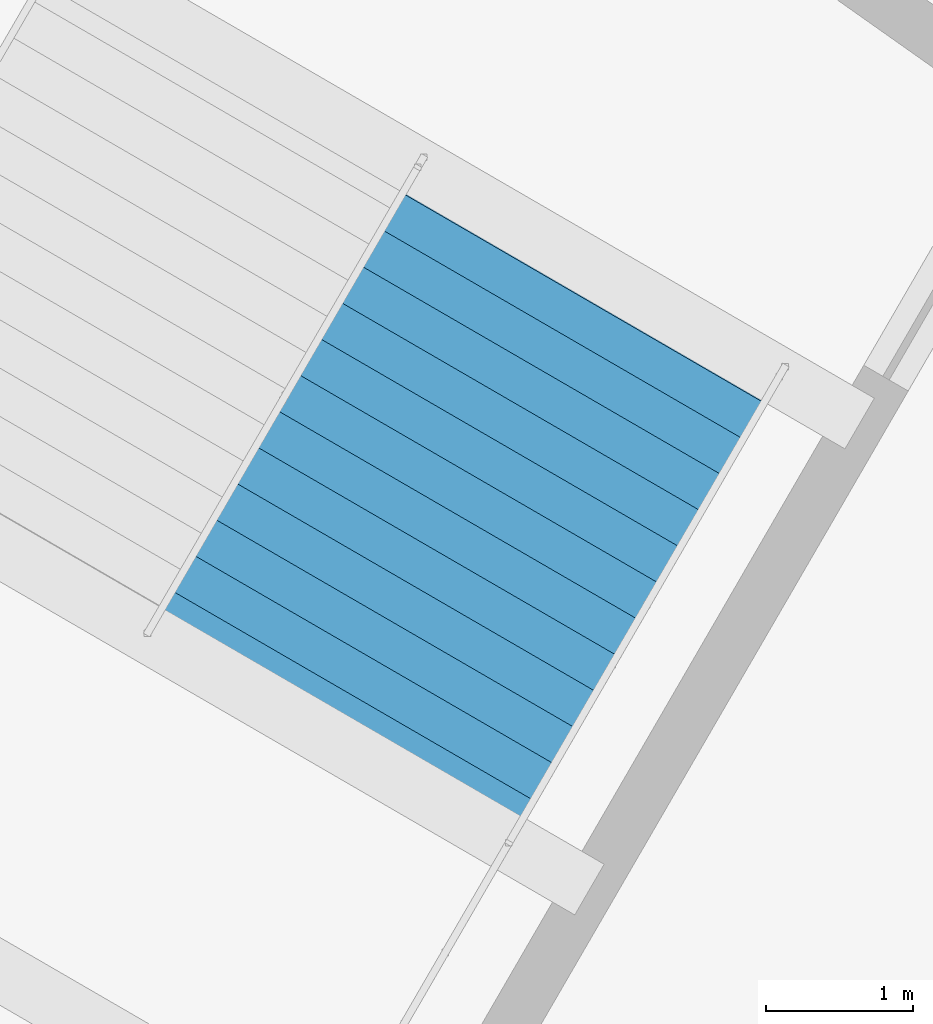
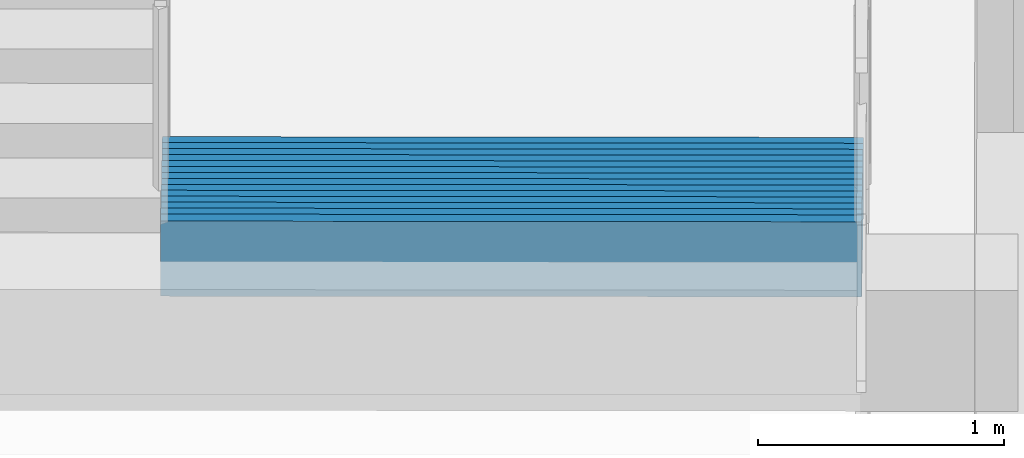
# One storey, part 155 of 171: 1 stair flight, 1 element without a shape of its own.
"""IFC4 building model written with IfcOpenShell, lengths in metres."""

from ifc_helpers import new_model, si_unit, direction, frame, origin, place, context, subcontext, project, spatial, polygons, material, type_object, element, aggregate, save


model = new_model("IFC4")

# Units and contexts
model_context = context("Model", 3, precision=1e-05, world=origin(), true_north=direction((0.0, 1.0)))
body_context = subcontext(model_context, "Body", "Model", "MODEL_VIEW")
ifc_project = project(units=[si_unit("LENGTHUNIT", "METRE"), si_unit("AREAUNIT", "SQUARE_METRE"), si_unit("VOLUMEUNIT", "CUBIC_METRE"), si_unit("PLANEANGLEUNIT", "RADIAN"), si_unit("MASSUNIT", "GRAM", prefix="KILO")], contexts=[model_context])

# Site, building, storey
site_placement = place(None, origin())
site = spatial("IfcSite", under=ifc_project, at=site_placement, CompositionType="ELEMENT")
building_placement = place(site_placement, origin())
building = spatial("IfcBuilding", under=site, at=building_placement, Name="Kazemori Nagisa Stadium", CompositionType="ELEMENT")
storey_placement = place(building_placement, frame((0.0, 0.0, 15.639892578125)))
storey = spatial("IfcBuildingStorey", under=building, at=storey_placement, Name="L03", CompositionType="ELEMENT", Elevation=15.639892578125)

# Stair, stair flight
ifc_material = material(Name="Concrete C36/45 (Fc36)", Category="concrete")
stair_type = type_object("IfcStairType", Name="Stair_CORE_28", PredefinedType="TWO_STRAIGHT_RUN_STAIR", material=ifc_material)
stair_placement = place(storey_placement, origin())
stair = element("IfcStair", 1, at=stair_placement, inside=storey, type_object=stair_type, Name="Exit stair ST08 L03", PredefinedType="TWO_STRAIGHT_RUN_STAIR")
stair_flight_type = type_object("IfcStairFlightType", Name="Flight_CORE_14", PredefinedType="STRAIGHT", material=ifc_material)
stair_flight_placement = place(storey_placement, frame((49.54345703125, 150.724609375, 0.0), z_axis=(0.0, 0.0, 1.0), x_axis=(-0.501579038974, -0.86511182379, 0.0)))
stair_flight = element("IfcStairFlight", 2, at=stair_flight_placement, type_object=stair_flight_type, Name="Exit stair ST08 L03 flight 1", NumberOfRisers=14, NumberOfTreads=13, PredefinedType="STRAIGHT", RiserHeight=0.17, TreadLength=0.285, context=body_context, shape_type="Tessellation", body=[
    polygons([(0.0, -1.425048828125, 0.0), (0.0, -1.425048828125, 0.169921875), (0.284912109375, -1.425048828125, 0.169921875), (0.284912109375, -1.425048828125, 0.340087890625), (0.570068359375, -1.425048828125, 0.340087890625), (0.570068359375, -1.425048828125, 0.510009765625), (0.85498046875, -1.425048828125, 0.510009765625), (0.85498046875, -1.425048828125, 0.679931640625), (1.139892578125, -1.425048828125, 0.679931640625), (1.139892578125, -1.425048828125, 0.85009765625), (1.425048828125, -1.425048828125, 0.85009765625), (1.425048828125, -1.425048828125, 1.02001953125), (1.7099609375, -1.425048828125, 1.02001953125), (1.7099609375, -1.425048828125, 1.18994140625), (1.9951171875, -1.425048828125, 1.18994140625), (1.9951171875, -1.425048828125, 1.360107421875), (2.280029296875, -1.425048828125, 1.360107421875), (2.280029296875, -1.425048828125, 1.530029296875), (2.56494140625, -1.425048828125, 1.530029296875), (2.56494140625, -1.425048828125, 1.699951171875), (2.85009765625, -1.425048828125, 1.699951171875), (2.85009765625, -1.425048828125, 1.8701171875), (3.135009765625, -1.425048828125, 1.8701171875), (3.135009765625, -1.425048828125, 2.0400390625), (3.419921875, -1.425048828125, 2.0400390625), (3.419921875, -1.425048828125, 2.2099609375), (3.705078125, -1.425048828125, 2.2099609375), (3.705078125, -1.425048828125, 2.3798828125), (3.7548828125, -1.425048828125, 2.3798828125), (3.7548828125, -1.425048828125, 2.007080078125), (3.705078125, -1.425048828125, 1.977294921875), (3.419921875, -1.425048828125, 1.80712890625), (3.135009765625, -1.425048828125, 1.63720703125), (2.85009765625, -1.425048828125, 1.46728515625), (2.56494140625, -1.425048828125, 1.297119140625), (2.280029296875, -1.425048828125, 1.127197265625), (1.9951171875, -1.425048828125, 0.957275390625), (1.7099609375, -1.425048828125, 0.787109375), (1.425048828125, -1.425048828125, 0.6171875), (1.139892578125, -1.425048828125, 0.447265625), (0.85498046875, -1.425048828125, 0.277099609375), (0.570068359375, -1.425048828125, 0.107177734375), (0.284912109375, -1.425048828125, 0.0), (0.0, -0.08544921875, 0.0), (0.0, -0.08544921875, 0.169921875), (0.284912109375, -0.08544921875, 0.169921875), (0.284912109375, -0.08544921875, 0.340087890625), (0.570068359375, -0.08544921875, 0.340087890625), (0.570068359375, -0.08544921875, 0.510009765625), (0.85498046875, -0.08544921875, 0.510009765625), (0.85498046875, -0.08544921875, 0.679931640625), (1.139892578125, -0.08544921875, 0.679931640625), (1.139892578125, -0.08544921875, 0.85009765625), (1.425048828125, -0.08544921875, 0.85009765625), (1.425048828125, -0.08544921875, 1.02001953125), (1.7099609375, -0.08544921875, 1.02001953125), (1.7099609375, -0.08544921875, 1.18994140625), (1.9951171875, -0.08544921875, 1.18994140625), (1.9951171875, -0.08544921875, 1.360107421875), (2.280029296875, -0.08544921875, 1.360107421875), (2.280029296875, -0.08544921875, 1.530029296875), (2.56494140625, -0.08544921875, 1.530029296875), (2.56494140625, -0.08544921875, 1.699951171875), (2.85009765625, -0.08544921875, 1.699951171875), (2.85009765625, -0.08544921875, 1.8701171875), (3.135009765625, -0.08544921875, 1.8701171875), (3.135009765625, -0.08544921875, 2.0400390625), (3.419921875, -0.08544921875, 2.0400390625), (3.419921875, -0.08544921875, 2.2099609375), (3.705078125, -0.08544921875, 2.2099609375), (3.705078125, -0.08544921875, 2.3798828125), (3.7548828125, -0.08544921875, 2.3798828125), (3.7548828125, -0.08544921875, 2.007080078125), (3.705078125, -0.08544921875, 1.977294921875), (3.419921875, -0.08544921875, 1.80712890625), (3.135009765625, -0.08544921875, 1.63720703125), (2.85009765625, -0.08544921875, 1.46728515625), (2.56494140625, -0.08544921875, 1.297119140625), (2.280029296875, -0.08544921875, 1.127197265625), (1.9951171875, -0.08544921875, 0.957275390625), (1.7099609375, -0.08544921875, 0.787109375), (1.425048828125, -0.08544921875, 0.6171875), (1.139892578125, -0.08544921875, 0.447265625), (0.85498046875, -0.08544921875, 0.277099609375), (0.570068359375, -0.08544921875, 0.107177734375), (0.284912109375, -0.08544921875, 0.0), (0.0, 0.0, 0.0), (0.0, 0.0, 0.169921875), (0.284912109375, 0.0, 0.169921875), (0.284912109375, 0.0, 0.340087890625), (0.570068359375, 0.0, 0.340087890625), (0.570068359375, 0.0, 0.510009765625), (0.85498046875, 0.0, 0.510009765625), (0.85498046875, 0.0, 0.679931640625), (1.139892578125, 0.0, 0.679931640625), (1.139892578125, 0.0, 0.85009765625), (1.425048828125, 0.0, 0.85009765625), (1.425048828125, 0.0, 1.02001953125), (1.7099609375, 0.0, 1.02001953125), (1.7099609375, 0.0, 1.18994140625), (1.9951171875, 0.0, 1.18994140625), (1.9951171875, 0.0, 1.360107421875), (2.280029296875, 0.0, 1.360107421875), (2.280029296875, 0.0, 1.530029296875), (2.56494140625, 0.0, 1.530029296875), (2.56494140625, 0.0, 1.699951171875), (2.85009765625, 0.0, 1.699951171875), (2.85009765625, 0.0, 1.8701171875), (3.135009765625, 0.0, 1.8701171875), (3.135009765625, 0.0, 2.0400390625), (3.419921875, 0.0, 2.0400390625), (3.419921875, 0.0, 2.2099609375), (3.705078125, 0.0, 2.2099609375), (3.705078125, 0.0, 2.3798828125), (3.7548828125, 0.0, 2.3798828125), (3.7548828125, 0.0, 2.007080078125), (3.705078125, 0.0, 1.977294921875), (3.419921875, 0.0, 1.80712890625), (3.135009765625, 0.0, 1.63720703125), (2.85009765625, 0.0, 1.46728515625), (2.56494140625, 0.0, 1.297119140625), (2.280029296875, 0.0, 1.127197265625), (1.9951171875, 0.0, 0.957275390625), (1.7099609375, 0.0, 0.787109375), (1.425048828125, 0.0, 0.6171875), (1.139892578125, 0.0, 0.447265625), (0.85498046875, 0.0, 0.277099609375), (0.570068359375, 0.0, 0.107177734375), (0.284912109375, 0.0, 0.0), (0.0, 0.08544921875, 0.0), (0.0, 0.08544921875, 0.169921875), (0.284912109375, 0.08544921875, 0.169921875), (0.284912109375, 0.08544921875, 0.340087890625), (0.570068359375, 0.08544921875, 0.340087890625), (0.570068359375, 0.08544921875, 0.510009765625), (0.85498046875, 0.08544921875, 0.510009765625), (0.85498046875, 0.08544921875, 0.679931640625), (1.139892578125, 0.08544921875, 0.679931640625), (1.139892578125, 0.08544921875, 0.85009765625), (1.425048828125, 0.08544921875, 0.85009765625), (1.425048828125, 0.08544921875, 1.02001953125), (1.7099609375, 0.08544921875, 1.02001953125), (1.7099609375, 0.08544921875, 1.18994140625), (1.9951171875, 0.08544921875, 1.18994140625), (1.9951171875, 0.08544921875, 1.360107421875), (2.280029296875, 0.08544921875, 1.360107421875), (2.280029296875, 0.08544921875, 1.530029296875), (2.56494140625, 0.08544921875, 1.530029296875), (2.56494140625, 0.08544921875, 1.699951171875), (2.85009765625, 0.08544921875, 1.699951171875), (2.85009765625, 0.08544921875, 1.8701171875), (3.135009765625, 0.08544921875, 1.8701171875), (3.135009765625, 0.08544921875, 2.0400390625), (3.419921875, 0.08544921875, 2.0400390625), (3.419921875, 0.08544921875, 2.2099609375), (3.705078125, 0.08544921875, 2.2099609375), (3.705078125, 0.08544921875, 2.3798828125), (3.7548828125, 0.08544921875, 2.3798828125), (3.7548828125, 0.08544921875, 2.007080078125), (3.705078125, 0.08544921875, 1.977294921875), (3.419921875, 0.08544921875, 1.80712890625), (3.135009765625, 0.08544921875, 1.63720703125), (2.85009765625, 0.08544921875, 1.46728515625), (2.56494140625, 0.08544921875, 1.297119140625), (2.280029296875, 0.08544921875, 1.127197265625), (1.9951171875, 0.08544921875, 0.957275390625), (1.7099609375, 0.08544921875, 0.787109375), (1.425048828125, 0.08544921875, 0.6171875), (1.139892578125, 0.08544921875, 0.447265625), (0.85498046875, 0.08544921875, 0.277099609375), (0.570068359375, 0.08544921875, 0.107177734375), (0.284912109375, 0.08544921875, 0.0), (0.0, 1.425048828125, 0.0), (0.0, 1.425048828125, 0.169921875), (0.284912109375, 1.425048828125, 0.169921875), (0.284912109375, 1.425048828125, 0.340087890625), (0.570068359375, 1.425048828125, 0.340087890625), (0.570068359375, 1.425048828125, 0.510009765625), (0.85498046875, 1.425048828125, 0.510009765625), (0.85498046875, 1.425048828125, 0.679931640625), (1.139892578125, 1.425048828125, 0.679931640625), (1.139892578125, 1.425048828125, 0.85009765625), (1.425048828125, 1.425048828125, 0.85009765625), (1.425048828125, 1.425048828125, 1.02001953125), (1.7099609375, 1.425048828125, 1.02001953125), (1.7099609375, 1.425048828125, 1.18994140625), (1.9951171875, 1.425048828125, 1.18994140625), (1.9951171875, 1.425048828125, 1.360107421875), (2.280029296875, 1.425048828125, 1.360107421875), (2.280029296875, 1.425048828125, 1.530029296875), (2.56494140625, 1.425048828125, 1.530029296875), (2.56494140625, 1.425048828125, 1.699951171875), (2.85009765625, 1.425048828125, 1.699951171875), (2.85009765625, 1.425048828125, 1.8701171875), (3.135009765625, 1.425048828125, 1.8701171875), (3.135009765625, 1.425048828125, 2.0400390625), (3.419921875, 1.425048828125, 2.0400390625), (3.419921875, 1.425048828125, 2.2099609375), (3.705078125, 1.425048828125, 2.2099609375), (3.705078125, 1.425048828125, 2.3798828125), (3.7548828125, 1.425048828125, 2.3798828125), (3.7548828125, 1.425048828125, 2.007080078125), (3.705078125, 1.425048828125, 1.977294921875), (3.419921875, 1.425048828125, 1.80712890625), (3.135009765625, 1.425048828125, 1.63720703125), (2.85009765625, 1.425048828125, 1.46728515625), (2.56494140625, 1.425048828125, 1.297119140625), (2.280029296875, 1.425048828125, 1.127197265625), (1.9951171875, 1.425048828125, 0.957275390625), (1.7099609375, 1.425048828125, 0.787109375), (1.425048828125, 1.425048828125, 0.6171875), (1.139892578125, 1.425048828125, 0.447265625), (0.85498046875, 1.425048828125, 0.277099609375), (0.570068359375, 1.425048828125, 0.107177734375), (0.284912109375, 1.425048828125, 0.0)], [[[1, 2, 45]], [[1, 45, 44]], [[2, 3, 46]], [[2, 46, 45]], [[3, 4, 47]], [[3, 47, 46]], [[4, 5, 48]], [[4, 48, 47]], [[5, 6, 49]], [[5, 49, 48]], [[6, 7, 50]], [[6, 50, 49]], [[7, 8, 51]], [[7, 51, 50]], [[8, 9, 52]], [[8, 52, 51]], [[9, 10, 53]], [[9, 53, 52]], [[10, 11, 54]], [[10, 54, 53]], [[11, 12, 55]], [[11, 55, 54]], [[12, 13, 56]], [[12, 56, 55]], [[13, 14, 57]], [[13, 57, 56]], [[14, 15, 58]], [[14, 58, 57]], [[15, 16, 59]], [[15, 59, 58]], [[16, 17, 60]], [[16, 60, 59]], [[17, 18, 61]], [[17, 61, 60]], [[18, 19, 62]], [[18, 62, 61]], [[19, 20, 63]], [[19, 63, 62]], [[20, 21, 64]], [[20, 64, 63]], [[21, 22, 65]], [[21, 65, 64]], [[22, 23, 66]], [[22, 66, 65]], [[23, 24, 67]], [[23, 67, 66]], [[24, 25, 68]], [[24, 68, 67]], [[25, 26, 69]], [[25, 69, 68]], [[26, 27, 70]], [[26, 70, 69]], [[27, 28, 71]], [[27, 71, 70]], [[28, 29, 72]], [[28, 72, 71]], [[29, 30, 73]], [[29, 73, 72]], [[30, 31, 74]], [[30, 74, 73]], [[31, 32, 75]], [[31, 75, 74]], [[32, 33, 76]], [[32, 76, 75]], [[33, 34, 77]], [[33, 77, 76]], [[34, 35, 78]], [[34, 78, 77]], [[35, 36, 79]], [[35, 79, 78]], [[36, 37, 80]], [[36, 80, 79]], [[37, 38, 81]], [[37, 81, 80]], [[38, 39, 82]], [[38, 82, 81]], [[39, 40, 83]], [[39, 83, 82]], [[40, 41, 84]], [[40, 84, 83]], [[41, 42, 85]], [[41, 85, 84]], [[42, 43, 86]], [[42, 86, 85]], [[43, 1, 44]], [[43, 44, 86]], [[44, 45, 88]], [[44, 88, 87]], [[45, 46, 89]], [[45, 89, 88]], [[46, 47, 90]], [[46, 90, 89]], [[47, 48, 91]], [[47, 91, 90]], [[48, 49, 92]], [[48, 92, 91]], [[49, 50, 93]], [[49, 93, 92]], [[50, 51, 94]], [[50, 94, 93]], [[51, 52, 95]], [[51, 95, 94]], [[52, 53, 96]], [[52, 96, 95]], [[53, 54, 97]], [[53, 97, 96]], [[54, 55, 98]], [[54, 98, 97]], [[55, 56, 99]], [[55, 99, 98]], [[56, 57, 100]], [[56, 100, 99]], [[57, 58, 101]], [[57, 101, 100]], [[58, 59, 102]], [[58, 102, 101]], [[59, 60, 103]], [[59, 103, 102]], [[60, 61, 104]], [[60, 104, 103]], [[61, 62, 105]], [[61, 105, 104]], [[62, 63, 106]], [[62, 106, 105]], [[63, 64, 107]], [[63, 107, 106]], [[64, 65, 108]], [[64, 108, 107]], [[65, 66, 109]], [[65, 109, 108]], [[66, 67, 110]], [[66, 110, 109]], [[67, 68, 111]], [[67, 111, 110]], [[68, 69, 112]], [[68, 112, 111]], [[69, 70, 113]], [[69, 113, 112]], [[70, 71, 114]], [[70, 114, 113]], [[71, 72, 115]], [[71, 115, 114]], [[72, 73, 116]], [[72, 116, 115]], [[73, 74, 117]], [[73, 117, 116]], [[74, 75, 118]], [[74, 118, 117]], [[75, 76, 119]], [[75, 119, 118]], [[76, 77, 120]], [[76, 120, 119]], [[77, 78, 121]], [[77, 121, 120]], [[78, 79, 122]], [[78, 122, 121]], [[79, 80, 123]], [[79, 123, 122]], [[80, 81, 124]], [[80, 124, 123]], [[81, 82, 125]], [[81, 125, 124]], [[82, 83, 126]], [[82, 126, 125]], [[83, 84, 127]], [[83, 127, 126]], [[84, 85, 128]], [[84, 128, 127]], [[85, 86, 129]], [[85, 129, 128]], [[86, 44, 87]], [[86, 87, 129]], [[87, 88, 131]], [[87, 131, 130]], [[88, 89, 132]], [[88, 132, 131]], [[89, 90, 133]], [[89, 133, 132]], [[90, 91, 134]], [[90, 134, 133]], [[91, 92, 135]], [[91, 135, 134]], [[92, 93, 136]], [[92, 136, 135]], [[93, 94, 137]], [[93, 137, 136]], [[94, 95, 138]], [[94, 138, 137]], [[95, 96, 139]], [[95, 139, 138]], [[96, 97, 140]], [[96, 140, 139]], [[97, 98, 141]], [[97, 141, 140]], [[98, 99, 142]], [[98, 142, 141]], [[99, 100, 143]], [[99, 143, 142]], [[100, 101, 144]], [[100, 144, 143]], [[101, 102, 145]], [[101, 145, 144]], [[102, 103, 146]], [[102, 146, 145]], [[103, 104, 147]], [[103, 147, 146]], [[104, 105, 148]], [[104, 148, 147]], [[105, 106, 149]], [[105, 149, 148]], [[106, 107, 150]], [[106, 150, 149]], [[107, 108, 151]], [[107, 151, 150]], [[108, 109, 152]], [[108, 152, 151]], [[109, 110, 153]], [[109, 153, 152]], [[110, 111, 154]], [[110, 154, 153]], [[111, 112, 155]], [[111, 155, 154]], [[112, 113, 156]], [[112, 156, 155]], [[113, 114, 157]], [[113, 157, 156]], [[114, 115, 158]], [[114, 158, 157]], [[115, 116, 159]], [[115, 159, 158]], [[116, 117, 160]], [[116, 160, 159]], [[117, 118, 161]], [[117, 161, 160]], [[118, 119, 162]], [[118, 162, 161]], [[119, 120, 163]], [[119, 163, 162]], [[120, 121, 164]], [[120, 164, 163]], [[121, 122, 165]], [[121, 165, 164]], [[122, 123, 166]], [[122, 166, 165]], [[123, 124, 167]], [[123, 167, 166]], [[124, 125, 168]], [[124, 168, 167]], [[125, 126, 169]], [[125, 169, 168]], [[126, 127, 170]], [[126, 170, 169]], [[127, 128, 171]], [[127, 171, 170]], [[128, 129, 172]], [[128, 172, 171]], [[129, 87, 130]], [[129, 130, 172]], [[130, 131, 174]], [[130, 174, 173]], [[131, 132, 175]], [[131, 175, 174]], [[132, 133, 176]], [[132, 176, 175]], [[133, 134, 177]], [[133, 177, 176]], [[134, 135, 178]], [[134, 178, 177]], [[135, 136, 179]], [[135, 179, 178]], [[136, 137, 180]], [[136, 180, 179]], [[137, 138, 181]], [[137, 181, 180]], [[138, 139, 182]], [[138, 182, 181]], [[139, 140, 183]], [[139, 183, 182]], [[140, 141, 184]], [[140, 184, 183]], [[141, 142, 185]], [[141, 185, 184]], [[142, 143, 186]], [[142, 186, 185]], [[143, 144, 187]], [[143, 187, 186]], [[144, 145, 188]], [[144, 188, 187]], [[145, 146, 189]], [[145, 189, 188]], [[146, 147, 190]], [[146, 190, 189]], [[147, 148, 191]], [[147, 191, 190]], [[148, 149, 192]], [[148, 192, 191]], [[149, 150, 193]], [[149, 193, 192]], [[150, 151, 194]], [[150, 194, 193]], [[151, 152, 195]], [[151, 195, 194]], [[152, 153, 196]], [[152, 196, 195]], [[153, 154, 197]], [[153, 197, 196]], [[154, 155, 198]], [[154, 198, 197]], [[155, 156, 199]], [[155, 199, 198]], [[156, 157, 200]], [[156, 200, 199]], [[157, 158, 201]], [[157, 201, 200]], [[158, 159, 202]], [[158, 202, 201]], [[159, 160, 203]], [[159, 203, 202]], [[160, 161, 204]], [[160, 204, 203]], [[161, 162, 205]], [[161, 205, 204]], [[162, 163, 206]], [[162, 206, 205]], [[163, 164, 207]], [[163, 207, 206]], [[164, 165, 208]], [[164, 208, 207]], [[165, 166, 209]], [[165, 209, 208]], [[166, 167, 210]], [[166, 210, 209]], [[167, 168, 211]], [[167, 211, 210]], [[168, 169, 212]], [[168, 212, 211]], [[169, 170, 213]], [[169, 213, 212]], [[170, 171, 214]], [[170, 214, 213]], [[171, 172, 215]], [[171, 215, 214]], [[172, 130, 173]], [[172, 173, 215]], [[3, 2, 1]], [[173, 174, 175]], [[43, 3, 1]], [[173, 175, 215]], [[42, 3, 43]], [[215, 175, 214]], [[5, 3, 42]], [[214, 175, 177]], [[5, 4, 3]], [[175, 176, 177]], [[41, 5, 42]], [[214, 177, 213]], [[7, 5, 41]], [[213, 177, 179]], [[7, 6, 5]], [[177, 178, 179]], [[40, 7, 41]], [[213, 179, 212]], [[9, 7, 40]], [[212, 179, 181]], [[9, 8, 7]], [[179, 180, 181]], [[39, 9, 40]], [[212, 181, 211]], [[11, 9, 39]], [[211, 181, 183]], [[11, 10, 9]], [[181, 182, 183]], [[38, 11, 39]], [[211, 183, 210]], [[13, 11, 38]], [[210, 183, 185]], [[13, 12, 11]], [[183, 184, 185]], [[37, 13, 38]], [[210, 185, 209]], [[15, 13, 37]], [[209, 185, 187]], [[15, 14, 13]], [[185, 186, 187]], [[36, 15, 37]], [[209, 187, 208]], [[17, 15, 36]], [[208, 187, 189]], [[17, 16, 15]], [[187, 188, 189]], [[35, 17, 36]], [[208, 189, 207]], [[19, 17, 35]], [[207, 189, 191]], [[19, 18, 17]], [[189, 190, 191]], [[34, 19, 35]], [[207, 191, 206]], [[21, 19, 34]], [[206, 191, 193]], [[21, 20, 19]], [[191, 192, 193]], [[33, 21, 34]], [[206, 193, 205]], [[23, 21, 33]], [[205, 193, 195]], [[23, 22, 21]], [[193, 194, 195]], [[32, 23, 33]], [[205, 195, 204]], [[25, 23, 32]], [[204, 195, 197]], [[25, 24, 23]], [[195, 196, 197]], [[31, 25, 32]], [[204, 197, 203]], [[27, 25, 31]], [[203, 197, 199]], [[27, 26, 25]], [[197, 198, 199]], [[30, 27, 31]], [[203, 199, 202]], [[29, 27, 30]], [[202, 199, 201]], [[29, 28, 27]], [[199, 200, 201]]], closed=True),
])
aggregate(stair, [stair_flight])

save(model, "model.ifc")
